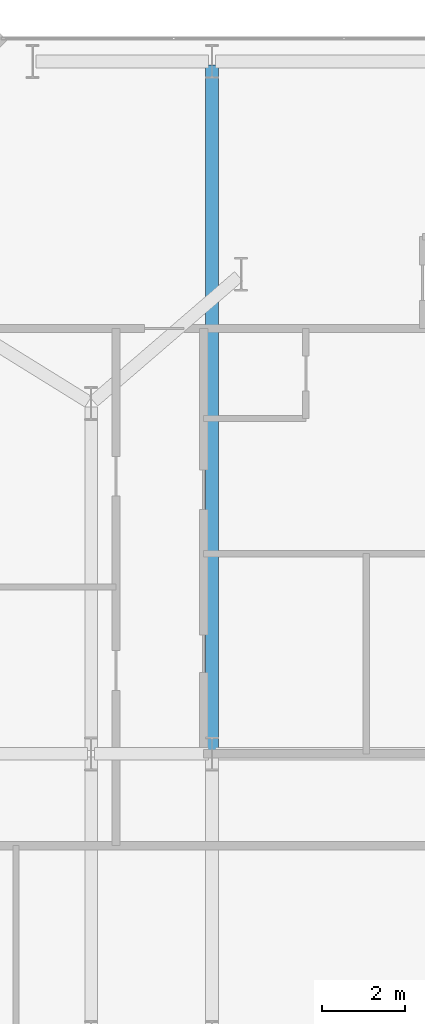
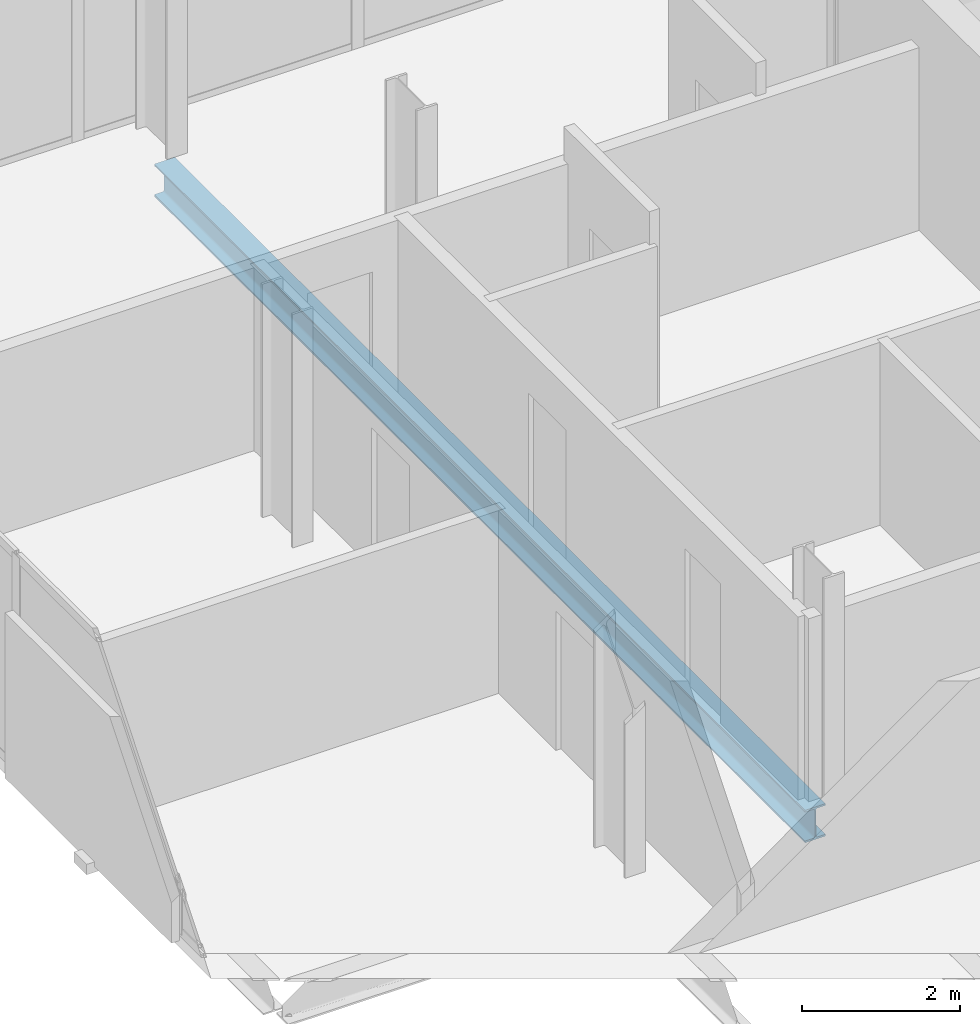
# One storey, part 19 of 33: 1 beam.
"""IFC4 building model written with IfcOpenShell, lengths in metres."""

from ifc_helpers import new_model, si_unit, direction, frame, origin, origin_2d, place, context, subcontext, project, spatial, i_section, extrude, material, material_profile, profile_set, type_object, element, save


model = new_model("IFC4")

# Units and contexts
model_context = context("Model", 3, precision=1e-05, world=origin(), true_north=direction((0.0, 1.0)))
body_context = subcontext(model_context, "Body", "Model", "MODEL_VIEW")
ifc_project = project(units=[si_unit("LENGTHUNIT", "METRE"), si_unit("AREAUNIT", "SQUARE_METRE"), si_unit("VOLUMEUNIT", "CUBIC_METRE"), si_unit("PLANEANGLEUNIT", "RADIAN"), si_unit("MASSUNIT", "GRAM", prefix="KILO")], contexts=[model_context])

# Site, building, storey
site_placement = place(None, origin())
site = spatial("IfcSite", under=ifc_project, at=site_placement, CompositionType="ELEMENT")
building_placement = place(site_placement, origin())
building = spatial("IfcBuilding", under=site, at=building_placement, Name="Catumbela Crestline Tower", CompositionType="ELEMENT")
storey_placement = place(building_placement, frame((0.0, 0.0, 54.6)))
storey = spatial("IfcBuildingStorey", under=building, at=storey_placement, Name="L13", CompositionType="ELEMENT", Elevation=54.6)

# Beam
ifc_material = material(Name="Structural steel S355J2", Category="steel")
ifc_material_profile = material_profile(ifc_material, i_section(OverallWidth=0.3, OverallDepth=0.5, WebThickness=0.0145, FlangeThickness=0.028, FilletRadius=0.027, at=origin_2d()), Name="HEB 500")
ifc_profile_set = profile_set([ifc_material_profile], Name="Structural steel S355J2")
beam_type = type_object("IfcBeamType", Name="BG-HEB500", PredefinedType="BEAM", material=ifc_profile_set)
beam_placement = place(storey_placement, frame((8.5, 30.88, -0.51), z_axis=(0.0, 1.0, 0.0), x_axis=(-1.0, 0.0, 0.0)))
element("IfcBeam", 1, at=beam_placement, inside=storey, type_object=beam_type, Name="L13 Beam BM-L13-SN30", PredefinedType="BEAM", context=body_context, shape_type="SweptSolid", body=[
    extrude(i_section(OverallWidth=0.3, OverallDepth=0.5, WebThickness=0.0145, FlangeThickness=0.028, FilletRadius=0.027, at=origin_2d()), origin(), (0.0, 0.0, 1.0), 16.44),
])

save(model, "model.ifc")
